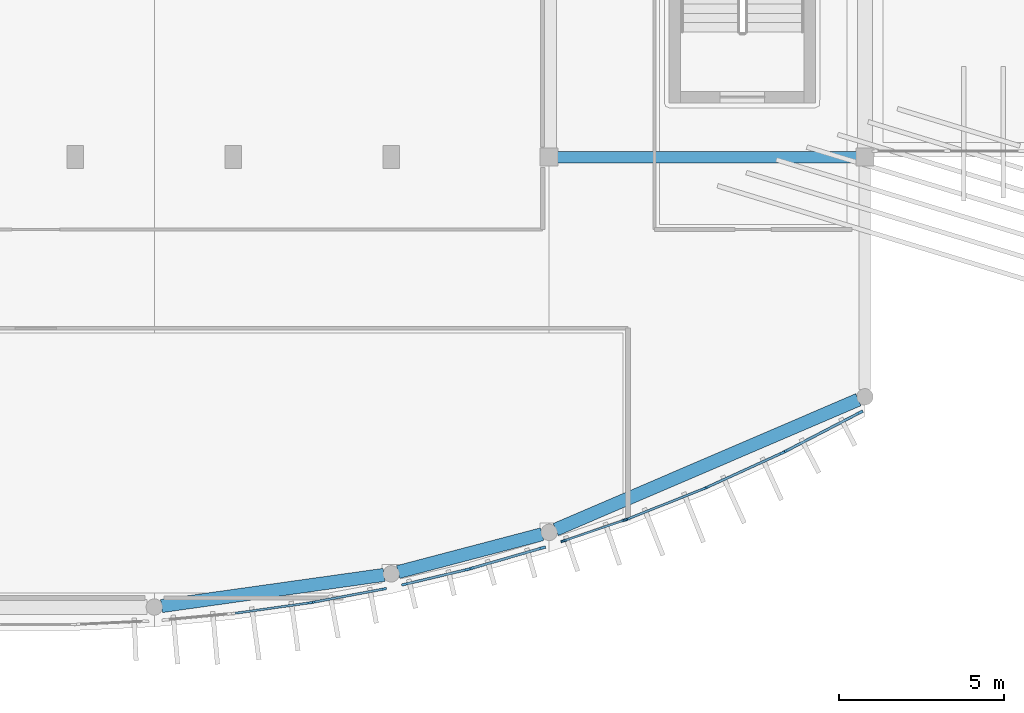
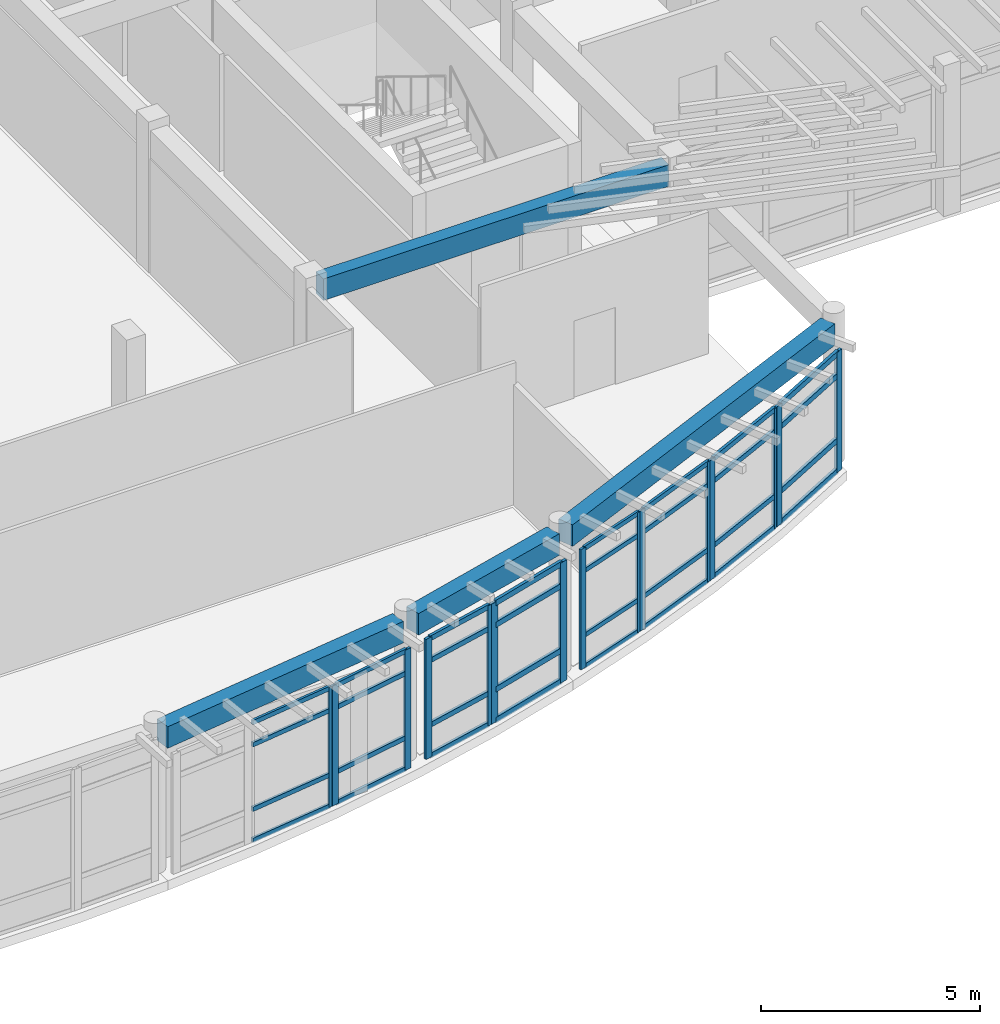
# One storey, part 12 of 60: 47 members, 4 beams, 8 elements without a shape of their own.
"""IFC4 building model written with IfcOpenShell, lengths in metres."""

from ifc_helpers import new_model, si_unit, direction, frame, origin, origin_2d, place, context, subcontext, project, spatial, rectangle, extrude, material, layer, layer_set, material_profile, profile_set, type_object, element, aggregate, save


model = new_model("IFC4")

# Units and contexts
model_context = context("Model", 3, precision=1e-05, world=origin(), true_north=direction((0.0, 1.0)))
body_context = subcontext(model_context, "Body", "Model", "MODEL_VIEW")
ifc_project = project(units=[si_unit("LENGTHUNIT", "METRE"), si_unit("AREAUNIT", "SQUARE_METRE"), si_unit("VOLUMEUNIT", "CUBIC_METRE"), si_unit("PLANEANGLEUNIT", "RADIAN"), si_unit("MASSUNIT", "GRAM", prefix="KILO")], contexts=[model_context])

# Site, building, storey
site_placement = place(None, origin())
site = spatial("IfcSite", under=ifc_project, at=site_placement, CompositionType="ELEMENT")
building_placement = place(site_placement, origin())
building = spatial("IfcBuilding", under=site, at=building_placement, Name="Brisavento Harbour Community Centre", CompositionType="ELEMENT")
storey_placement = place(building_placement, frame((0.0, 0.0, 4.5)))
storey = spatial("IfcBuildingStorey", under=building, at=storey_placement, Name="L01", CompositionType="ELEMENT", Elevation=4.5)

# Beams
ifc_material_1 = material(Name="Concrete C35/45", Category="concrete")
ifc_material_profile_1 = material_profile(ifc_material_1, rectangle(XDim=0.35009765625, YDim=0.60009765625, at=origin_2d()), Name="Concrete C35/45")
ifc_profile_set_1 = profile_set([ifc_material_profile_1], Name="Concrete C35/45")
beam_type_1 = type_object("IfcBeamType", Name="BM-RC-350x600", PredefinedType="BEAM", material=ifc_profile_set_1)
beam_1_placement = place(storey_placement, frame((41.044921875, 14.39990234375, 3.64990234375), z_axis=(1.0, 0.0, 0.0), x_axis=(0.0, 1.0, 0.0)))
element("IfcBeam", 1, at=beam_1_placement, inside=storey, type_object=beam_type_1, Name="L01 primary girder X0409", PredefinedType="BEAM", context=body_context, shape_type="SweptSolid", body=[
    extrude(rectangle(XDim=0.35009765625, YDim=0.60009765625, at=origin_2d()), origin(), (0.0, 0.0, 1.0), 9.110107421875),
])
ifc_material_profile_2 = material_profile(ifc_material_1, rectangle(XDim=0.39990234375, YDim=0.60009765625, at=origin_2d()), Name="Concrete C35/45")
ifc_profile_set_2 = profile_set([ifc_material_profile_2], Name="Concrete C35/45")
beam_type_2 = type_object("IfcBeamType", Name="BM-SPN-400x600", PredefinedType="SPANDREL", material=ifc_profile_set_2)
beam_2_placement = place(storey_placement, frame((29.017822265625, 0.75537109375, 3.64990234375), z_axis=(0.990321318847, 0.138793679386, 0.0), x_axis=(-0.138793679386, 0.990321318847, 0.0)))
element("IfcBeam", 2, at=beam_2_placement, inside=storey, type_object=beam_type_2, Name="L01 curved perimeter spandrel 0534", PredefinedType="SPANDREL", context=body_context, shape_type="SweptSolid", body=[
    extrude(rectangle(XDim=0.39990234375, YDim=0.60009765625, at=origin_2d()), origin(), (0.0, 0.0, 1.0), 6.830322265625),
])
beam_3_placement = place(storey_placement, frame((36.212890625, 1.789794921875, 3.64990234375), z_axis=(0.967167470078, 0.254139892232, 0.0), x_axis=(-0.254139892232, 0.967167470078, 0.0)))
element("IfcBeam", 3, at=beam_3_placement, inside=storey, type_object=beam_type_2, Name="L01 curved perimeter spandrel 0535", PredefinedType="SPANDREL", context=body_context, shape_type="SweptSolid", body=[
    extrude(rectangle(XDim=0.39990234375, YDim=0.60009765625, at=origin_2d()), origin(), (0.0, 0.0, 1.0), 4.522705078125),
])
beam_4_placement = place(storey_placement, frame((41.002197265625, 3.081787109375, 3.64990234375), z_axis=(0.918969522078, 0.394328565401, 0.0), x_axis=(-0.394328565401, 0.918969522078, 0.0)))
element("IfcBeam", 4, at=beam_4_placement, inside=storey, type_object=beam_type_2, Name="L01 curved perimeter spandrel 0536", PredefinedType="SPANDREL", context=body_context, shape_type="SweptSolid", body=[
    extrude(rectangle(XDim=0.39990234375, YDim=0.60009765625, at=origin_2d()), origin(), (0.0, 0.0, 1.0), 10.00634765625),
])

# Curtain wall, member
ifc_material_2 = material(Name="Marine-anodised aluminium AW-6063-T6", Category="aluminium")
ifc_layer_1 = layer(ifc_material_2, 0.179931640625, Name="Marine-anodised aluminium AW-6063-T6")
ifc_layer_set_1 = layer_set([ifc_layer_1], Name="Marine-anodised aluminium AW-6063-T6")
curtain_wall_type_1 = type_object("IfcCurtainWallType", Name="CW-SYS-05", PredefinedType="USERDEFINED", material=ifc_layer_set_1)
curtain_wall_1_placement = place(storey_placement, origin())
curtain_wall_1 = element("IfcCurtainWall", 5, at=curtain_wall_1_placement, inside=storey, type_object=curtain_wall_type_1, Name="L01 V1 unitised curtain wall 033", ObjectType="UNITISED CURTAIN WALL", PredefinedType="USERDEFINED")
ifc_material_profile_3 = material_profile(ifc_material_2, rectangle(XDim=0.06494140625, YDim=0.1650390625, at=origin_2d()), Name="Marine-anodised aluminium AW-6063-T6")
ifc_profile_set_3 = profile_set([ifc_material_profile_3], Name="Marine-anodised aluminium AW-6063-T6")
member_type_1 = type_object("IfcMemberType", Name="CWM-01", PredefinedType="MULLION", material=ifc_profile_set_3)
member_1_placement = place(storey_placement, frame((33.525146484375, 0.854248046875, 0.0), z_axis=(0.0, 0.0, 1.0), x_axis=(0.138476944024, -0.990365657711, 0.0)))
member_1 = element("IfcMember", 6, at=member_1_placement, type_object=member_type_1, Name="CW-05 mullion 1", PredefinedType="MULLION", context=body_context, shape_type="SweptSolid", body=[
    extrude(rectangle(XDim=0.06494140625, YDim=0.1650390625, at=origin_2d()), origin(), (0.0, 0.0, 1.0), 3.35009765625),
])

# Curtain wall, members
ifc_layer_2 = layer(ifc_material_2, 0.179931640625, Name="Marine-anodised aluminium AW-6063-T6")
ifc_layer_set_2 = layer_set([ifc_layer_2], Name="Marine-anodised aluminium AW-6063-T6")
curtain_wall_type_2 = type_object("IfcCurtainWallType", Name="CW-SYS-09", PredefinedType="USERDEFINED", material=ifc_layer_set_2)
curtain_wall_2_placement = place(storey_placement, origin())
curtain_wall_2 = element("IfcCurtainWall", 7, at=curtain_wall_2_placement, inside=storey, type_object=curtain_wall_type_2, Name="L01 V1 unitised curtain wall 037", ObjectType="UNITISED CURTAIN WALL", PredefinedType="USERDEFINED")
member_2_placement = place(storey_placement, frame((43.093994140625, 3.368896484375, 0.0), z_axis=(0.0, 0.0, 1.0), x_axis=(0.323178425743, -0.946338050136, 0.0)))
member_2 = element("IfcMember", 8, at=member_2_placement, type_object=member_type_1, Name="CW-09 mullion 1", PredefinedType="MULLION", context=body_context, shape_type="SweptSolid", body=[
    extrude(rectangle(XDim=0.06494140625, YDim=0.1650390625, at=origin_2d()), origin(), (0.0, 0.0, 1.0), 3.35009765625),
])
member_3_placement = place(storey_placement, frame((41.2421875, 2.736328125, 0.0), z_axis=(0.0, 0.0, 1.0), x_axis=(0.323178425743, -0.946338050136, 0.0)))
member_3 = element("IfcMember", 9, at=member_3_placement, type_object=member_type_1, Name="CW-09 mullion 2", PredefinedType="MULLION", context=body_context, shape_type="SweptSolid", body=[
    extrude(rectangle(XDim=0.06494140625, YDim=0.1650390625, at=origin_2d()), origin(), (0.0, 0.0, 1.0), 3.35009765625),
])

ifc_layer_3 = layer(ifc_material_2, 0.179931640625, Name="Marine-anodised aluminium AW-6063-T6")
ifc_layer_set_3 = layer_set([ifc_layer_3], Name="Marine-anodised aluminium AW-6063-T6")
curtain_wall_type_3 = type_object("IfcCurtainWallType", Name="CW-SYS-06", PredefinedType="USERDEFINED", material=ifc_layer_set_3)
curtain_wall_3_placement = place(storey_placement, origin())
curtain_wall_3 = element("IfcCurtainWall", 10, at=curtain_wall_3_placement, inside=storey, type_object=curtain_wall_type_3, Name="L01 V1 unitised curtain wall 034", ObjectType="UNITISED CURTAIN WALL", PredefinedType="USERDEFINED")
ifc_material_profile_4 = material_profile(ifc_material_2, rectangle(XDim=0.070068359375, YDim=0.179931640625, at=origin_2d()), Name="Marine-anodised aluminium AW-6063-T6")
ifc_profile_set_4 = profile_set([ifc_material_profile_4], Name="Marine-anodised aluminium AW-6063-T6")
member_type_2 = type_object("IfcMemberType", Name="CWM-02", PredefinedType="MULLION", material=ifc_profile_set_4)
member_4_placement = place(storey_placement, frame((35.76904296875, 1.273681640625, 0.0), z_axis=(0.0, 0.0, 1.0), x_axis=(0.184689637418, -0.982796895513, 0.0)))
member_4 = element("IfcMember", 11, at=member_4_placement, type_object=member_type_2, Name="CW-06 mullion 1", PredefinedType="MULLION", context=body_context, shape_type="SweptSolid", body=[
    extrude(rectangle(XDim=0.070068359375, YDim=0.179931640625, at=origin_2d()), origin(), (0.0, 0.0, 1.0), 3.35009765625),
])
member_5_placement = place(storey_placement, frame((33.618896484375, 0.86962890625, 0.0), z_axis=(0.0, 0.0, 1.0), x_axis=(0.184689637418, -0.982796895513, 0.0)))
member_5 = element("IfcMember", 12, at=member_5_placement, type_object=member_type_2, Name="CW-06 mullion 2", PredefinedType="MULLION", context=body_context, shape_type="SweptSolid", body=[
    extrude(rectangle(XDim=0.070068359375, YDim=0.179931640625, at=origin_2d()), origin(), (0.0, 0.0, 1.0), 3.35009765625),
])

ifc_layer_4 = layer(ifc_material_2, 0.179931640625, Name="Marine-anodised aluminium AW-6063-T6")
ifc_layer_set_4 = layer_set([ifc_layer_4], Name="Marine-anodised aluminium AW-6063-T6")
curtain_wall_type_4 = type_object("IfcCurtainWallType", Name="CW-SYS-10", PredefinedType="USERDEFINED", material=ifc_layer_set_4)
curtain_wall_4_placement = place(storey_placement, origin())
curtain_wall_4 = element("IfcCurtainWall", 13, at=curtain_wall_4_placement, inside=storey, type_object=curtain_wall_type_4, Name="L01 V1 unitised curtain wall 038", ObjectType="UNITISED CURTAIN WALL", PredefinedType="USERDEFINED")
member_6_placement = place(storey_placement, frame((45.484375, 4.31640625, 0.0), z_axis=(0.0, 0.0, 1.0), x_axis=(0.369379094613, -0.929278798027, 0.0)))
member_6 = element("IfcMember", 14, at=member_6_placement, type_object=member_type_2, Name="CW-10 mullion 1", PredefinedType="MULLION", context=body_context, shape_type="SweptSolid", body=[
    extrude(rectangle(XDim=0.070068359375, YDim=0.179931640625, at=origin_2d()), origin(), (0.0, 0.0, 1.0), 3.35009765625),
])
member_7_placement = place(storey_placement, frame((43.1826171875, 3.401611328125, 0.0), z_axis=(0.0, 0.0, 1.0), x_axis=(0.369379094613, -0.929278798027, 0.0)))
member_7 = element("IfcMember", 15, at=member_7_placement, type_object=member_type_2, Name="CW-10 mullion 2", PredefinedType="MULLION", context=body_context, shape_type="SweptSolid", body=[
    extrude(rectangle(XDim=0.070068359375, YDim=0.179931640625, at=origin_2d()), origin(), (0.0, 0.0, 1.0), 3.35009765625),
])

ifc_layer_5 = layer(ifc_material_2, 0.179931640625, Name="Marine-anodised aluminium AW-6063-T6")
ifc_layer_set_5 = layer_set([ifc_layer_5], Name="Marine-anodised aluminium AW-6063-T6")
curtain_wall_type_5 = type_object("IfcCurtainWallType", Name="CW-SYS-07", PredefinedType="USERDEFINED", material=ifc_layer_set_5)
curtain_wall_5_placement = place(storey_placement, origin())
curtain_wall_5 = element("IfcCurtainWall", 16, at=curtain_wall_5_placement, inside=storey, type_object=curtain_wall_type_5, Name="L01 V1 unitised curtain wall 035", ObjectType="UNITISED CURTAIN WALL", PredefinedType="USERDEFINED")
ifc_material_profile_5 = material_profile(ifc_material_2, rectangle(XDim=0.074951171875, YDim=0.18994140625, at=origin_2d()), Name="Marine-anodised aluminium AW-6063-T6")
ifc_profile_set_5 = profile_set([ifc_material_profile_5], Name="Marine-anodised aluminium AW-6063-T6")
member_type_3 = type_object("IfcMemberType", Name="CWM-03", PredefinedType="MULLION", material=ifc_profile_set_5)
member_8_placement = place(storey_placement, frame((38.304443359375, 1.865478515625, 0.0), z_axis=(0.0, 0.0, 1.0), x_axis=(0.230812289714, -0.972998297489, 0.0)))
member_8 = element("IfcMember", 17, at=member_8_placement, type_object=member_type_3, Name="CW-07 mullion 1", PredefinedType="MULLION", context=body_context, shape_type="SweptSolid", body=[
    extrude(rectangle(XDim=0.074951171875, YDim=0.18994140625, at=origin_2d()), origin(), (0.0, 0.0, 1.0), 3.35009765625),
])
member_9_placement = place(storey_placement, frame((36.407958984375, 1.415771484375, 0.0), z_axis=(0.0, 0.0, 1.0), x_axis=(0.230812289714, -0.972998297489, 0.0)))
member_9 = element("IfcMember", 18, at=member_9_placement, type_object=member_type_3, Name="CW-07 mullion 2", PredefinedType="MULLION", context=body_context, shape_type="SweptSolid", body=[
    extrude(rectangle(XDim=0.074951171875, YDim=0.18994140625, at=origin_2d()), origin(), (0.0, 0.0, 1.0), 3.35009765625),
])

ifc_layer_6 = layer(ifc_material_2, 0.179931640625, Name="Marine-anodised aluminium AW-6063-T6")
ifc_layer_set_6 = layer_set([ifc_layer_6], Name="Marine-anodised aluminium AW-6063-T6")
curtain_wall_type_6 = type_object("IfcCurtainWallType", Name="CW-SYS-11", PredefinedType="USERDEFINED", material=ifc_layer_set_6)
curtain_wall_6_placement = place(storey_placement, origin())
curtain_wall_6 = element("IfcCurtainWall", 19, at=curtain_wall_6_placement, inside=storey, type_object=curtain_wall_type_6, Name="L01 V1 unitised curtain wall 039", ObjectType="UNITISED CURTAIN WALL", PredefinedType="USERDEFINED")
member_10_placement = place(storey_placement, frame((47.874755859375, 5.405517578125, 0.0), z_axis=(0.0, 0.0, 1.0), x_axis=(0.415490040189, -0.909597727846, 0.0)))
member_10 = element("IfcMember", 20, at=member_10_placement, type_object=member_type_3, Name="CW-11 mullion 1", PredefinedType="MULLION", context=body_context, shape_type="SweptSolid", body=[
    extrude(rectangle(XDim=0.074951171875, YDim=0.18994140625, at=origin_2d()), origin(), (0.0, 0.0, 1.0), 3.35009765625),
])
member_11_placement = place(storey_placement, frame((45.57568359375, 4.35546875, 0.0), z_axis=(0.0, 0.0, 1.0), x_axis=(0.415490040189, -0.909597727846, 0.0)))
member_11 = element("IfcMember", 21, at=member_11_placement, type_object=member_type_3, Name="CW-11 mullion 2", PredefinedType="MULLION", context=body_context, shape_type="SweptSolid", body=[
    extrude(rectangle(XDim=0.074951171875, YDim=0.18994140625, at=origin_2d()), origin(), (0.0, 0.0, 1.0), 3.35009765625),
])

ifc_layer_7 = layer(ifc_material_2, 0.179931640625, Name="Marine-anodised aluminium AW-6063-T6")
ifc_layer_set_7 = layer_set([ifc_layer_7], Name="Marine-anodised aluminium AW-6063-T6")
curtain_wall_type_7 = type_object("IfcCurtainWallType", Name="CW-SYS-08", PredefinedType="USERDEFINED", material=ifc_layer_set_7)
curtain_wall_7_placement = place(storey_placement, origin())
curtain_wall_7 = element("IfcCurtainWall", 22, at=curtain_wall_7_placement, inside=storey, type_object=curtain_wall_type_7, Name="L01 V1 unitised curtain wall 036", ObjectType="UNITISED CURTAIN WALL", PredefinedType="USERDEFINED")
ifc_material_profile_6 = material_profile(ifc_material_2, rectangle(XDim=0.080078125, YDim=0.2099609375, at=origin_2d()), Name="Marine-anodised aluminium AW-6063-T6")
ifc_profile_set_6 = profile_set([ifc_material_profile_6], Name="Marine-anodised aluminium AW-6063-T6")
member_type_4 = type_object("IfcMemberType", Name="CWM-04", PredefinedType="MULLION", material=ifc_profile_set_6)
member_12_placement = place(storey_placement, frame((40.58837890625, 2.521484375, 0.0), z_axis=(0.0, 0.0, 1.0), x_axis=(0.277011917183, -0.960866482785, 0.0)))
member_12 = element("IfcMember", 23, at=member_12_placement, type_object=member_type_4, Name="CW-08 mullion 1", PredefinedType="MULLION", context=body_context, shape_type="SweptSolid", body=[
    extrude(rectangle(XDim=0.080078125, YDim=0.2099609375, at=origin_2d()), origin(), (0.0, 0.0, 1.0), 3.35009765625),
])
member_13_placement = place(storey_placement, frame((38.40576171875, 1.892333984375, 0.0), z_axis=(0.0, 0.0, 1.0), x_axis=(0.277011917183, -0.960866482785, 0.0)))
member_13 = element("IfcMember", 24, at=member_13_placement, type_object=member_type_4, Name="CW-08 mullion 2", PredefinedType="MULLION", context=body_context, shape_type="SweptSolid", body=[
    extrude(rectangle(XDim=0.080078125, YDim=0.2099609375, at=origin_2d()), origin(), (0.0, 0.0, 1.0), 3.35009765625),
])

ifc_layer_8 = layer(ifc_material_2, 0.179931640625, Name="Marine-anodised aluminium AW-6063-T6")
ifc_layer_set_8 = layer_set([ifc_layer_8], Name="Marine-anodised aluminium AW-6063-T6")
curtain_wall_type_8 = type_object("IfcCurtainWallType", Name="CW-SYS-12", PredefinedType="USERDEFINED", material=ifc_layer_set_8)
curtain_wall_8_placement = place(storey_placement, origin())
curtain_wall_8 = element("IfcCurtainWall", 25, at=curtain_wall_8_placement, inside=storey, type_object=curtain_wall_type_8, Name="L01 V1 unitised curtain wall 040", ObjectType="UNITISED CURTAIN WALL", PredefinedType="USERDEFINED")
member_14_placement = place(storey_placement, frame((50.2412109375, 6.634521484375, 0.0), z_axis=(0.0, 0.0, 1.0), x_axis=(0.461731608705, -0.887019684969, 0.0)))
member_14 = element("IfcMember", 26, at=member_14_placement, type_object=member_type_4, Name="CW-12 mullion 1", PredefinedType="MULLION", context=body_context, shape_type="SweptSolid", body=[
    extrude(rectangle(XDim=0.080078125, YDim=0.2099609375, at=origin_2d()), origin(), (0.0, 0.0, 1.0), 3.35009765625),
])
member_15_placement = place(storey_placement, frame((47.96826171875, 5.451416015625, 0.0), z_axis=(0.0, 0.0, 1.0), x_axis=(0.461731608705, -0.887019684969, 0.0)))
member_15 = element("IfcMember", 27, at=member_15_placement, type_object=member_type_4, Name="CW-12 mullion 2", PredefinedType="MULLION", context=body_context, shape_type="SweptSolid", body=[
    extrude(rectangle(XDim=0.080078125, YDim=0.2099609375, at=origin_2d()), origin(), (0.0, 0.0, 1.0), 3.35009765625),
])

# Member
ifc_material_profile_7 = material_profile(ifc_material_2, rectangle(XDim=0.06494140625, YDim=0.125, at=origin_2d()), Name="Marine-anodised aluminium AW-6063-T6")
ifc_profile_set_7 = profile_set([ifc_material_profile_7], Name="Marine-anodised aluminium AW-6063-T6")
member_type_5 = type_object("IfcMemberType", Name="CWT-01", PredefinedType="USERDEFINED", material=ifc_profile_set_7)
member_16_placement = place(storey_placement, frame((33.492919921875, 0.849609375, 0.032470703125), z_axis=(-0.990371128521, -0.138437812002, 0.0), x_axis=(0.138437812002, -0.990371128521, 0.0)))
member_16 = element("IfcMember", 28, at=member_16_placement, type_object=member_type_5, Name="CW-05 transom 1.1", ObjectType="TRANSOM", PredefinedType="USERDEFINED", context=body_context, shape_type="SweptSolid", body=[
    extrude(rectangle(XDim=0.06494140625, YDim=0.125, at=origin_2d()), origin(), (0.0, 0.0, 1.0), 2.25732421875),
])

member_17_placement = place(storey_placement, frame((33.492919921875, 0.849609375, 0.89990234375), z_axis=(-0.990371128521, -0.138437812002, 0.0), x_axis=(0.138437812002, -0.990371128521, 0.0)))
member_17 = element("IfcMember", 29, at=member_17_placement, type_object=member_type_5, Name="CW-05 transom 1.2", ObjectType="TRANSOM", PredefinedType="USERDEFINED", context=body_context, shape_type="SweptSolid", body=[
    extrude(rectangle(XDim=0.06494140625, YDim=0.125, at=origin_2d()), origin(), (0.0, 0.0, 1.0), 2.25732421875),
])

member_18_placement = place(storey_placement, frame((33.492919921875, 0.849609375, 2.699951171875), z_axis=(-0.990371128521, -0.138437812002, 0.0), x_axis=(0.138437812002, -0.990371128521, 0.0)))
member_18 = element("IfcMember", 30, at=member_18_placement, type_object=member_type_5, Name="CW-05 transom 1.3", ObjectType="TRANSOM", PredefinedType="USERDEFINED", context=body_context, shape_type="SweptSolid", body=[
    extrude(rectangle(XDim=0.06494140625, YDim=0.125, at=origin_2d()), origin(), (0.0, 0.0, 1.0), 2.25732421875),
])

member_19_placement = place(storey_placement, frame((33.492919921875, 0.849609375, 3.3173828125), z_axis=(-0.990371128521, -0.138437812002, 0.0), x_axis=(0.138437812002, -0.990371128521, 0.0)))
member_19 = element("IfcMember", 31, at=member_19_placement, type_object=member_type_5, Name="CW-05 transom 1.4", ObjectType="TRANSOM", PredefinedType="USERDEFINED", context=body_context, shape_type="SweptSolid", body=[
    extrude(rectangle(XDim=0.06494140625, YDim=0.125, at=origin_2d()), origin(), (0.0, 0.0, 1.0), 2.25732421875),
])

aggregate(curtain_wall_1, [member_1, member_16, member_17, member_18, member_19])

member_20_placement = place(storey_placement, frame((43.063232421875, 3.3583984375, 0.032470703125), z_axis=(-0.946308459465, -0.323265060816, 0.0), x_axis=(0.323265060816, -0.946308459465, 0.0)))
member_20 = element("IfcMember", 32, at=member_20_placement, type_object=member_type_5, Name="CW-09 transom 1.1", ObjectType="TRANSOM", PredefinedType="USERDEFINED", context=body_context, shape_type="SweptSolid", body=[
    extrude(rectangle(XDim=0.06494140625, YDim=0.125, at=origin_2d()), origin(), (0.0, 0.0, 1.0), 1.891845703125),
])

member_21_placement = place(storey_placement, frame((43.063232421875, 3.3583984375, 0.89990234375), z_axis=(-0.946308459465, -0.323265060816, 0.0), x_axis=(0.323265060816, -0.946308459465, 0.0)))
member_21 = element("IfcMember", 33, at=member_21_placement, type_object=member_type_5, Name="CW-09 transom 1.2", ObjectType="TRANSOM", PredefinedType="USERDEFINED", context=body_context, shape_type="SweptSolid", body=[
    extrude(rectangle(XDim=0.06494140625, YDim=0.125, at=origin_2d()), origin(), (0.0, 0.0, 1.0), 1.891845703125),
])

member_22_placement = place(storey_placement, frame((43.063232421875, 3.3583984375, 2.699951171875), z_axis=(-0.946308459465, -0.323265060816, 0.0), x_axis=(0.323265060816, -0.946308459465, 0.0)))
member_22 = element("IfcMember", 34, at=member_22_placement, type_object=member_type_5, Name="CW-09 transom 1.3", ObjectType="TRANSOM", PredefinedType="USERDEFINED", context=body_context, shape_type="SweptSolid", body=[
    extrude(rectangle(XDim=0.06494140625, YDim=0.125, at=origin_2d()), origin(), (0.0, 0.0, 1.0), 1.891845703125),
])

member_23_placement = place(storey_placement, frame((43.063232421875, 3.3583984375, 3.3173828125), z_axis=(-0.946308459465, -0.323265060816, 0.0), x_axis=(0.323265060816, -0.946308459465, 0.0)))
member_23 = element("IfcMember", 35, at=member_23_placement, type_object=member_type_5, Name="CW-09 transom 1.4", ObjectType="TRANSOM", PredefinedType="USERDEFINED", context=body_context, shape_type="SweptSolid", body=[
    extrude(rectangle(XDim=0.06494140625, YDim=0.125, at=origin_2d()), origin(), (0.0, 0.0, 1.0), 1.891845703125),
])

aggregate(curtain_wall_2, [member_2, member_3, member_20, member_21, member_22, member_23])

ifc_material_profile_8 = material_profile(ifc_material_2, rectangle(XDim=0.070068359375, YDim=0.132080078125, at=origin_2d()), Name="Marine-anodised aluminium AW-6063-T6")
ifc_profile_set_8 = profile_set([ifc_material_profile_8], Name="Marine-anodised aluminium AW-6063-T6")
member_type_6 = type_object("IfcMemberType", Name="CWT-02", PredefinedType="USERDEFINED", material=ifc_profile_set_8)
member_24_placement = place(storey_placement, frame((35.734619140625, 1.267333984375, 0.034912109375), z_axis=(-0.982797715927, -0.184685271662, 0.0), x_axis=(0.184685271662, -0.982797715927, 0.0)))
member_24 = element("IfcMember", 36, at=member_24_placement, type_object=member_type_6, Name="CW-06 transom 1.1", ObjectType="TRANSOM", PredefinedType="USERDEFINED", context=body_context, shape_type="SweptSolid", body=[
    extrude(rectangle(XDim=0.070068359375, YDim=0.132080078125, at=origin_2d()), origin(), (0.0, 0.0, 1.0), 2.11767578125),
])

member_25_placement = place(storey_placement, frame((35.734619140625, 1.267333984375, 0.89990234375), z_axis=(-0.982797715927, -0.184685271662, 0.0), x_axis=(0.184685271662, -0.982797715927, 0.0)))
member_25 = element("IfcMember", 37, at=member_25_placement, type_object=member_type_6, Name="CW-06 transom 1.2", ObjectType="TRANSOM", PredefinedType="USERDEFINED", context=body_context, shape_type="SweptSolid", body=[
    extrude(rectangle(XDim=0.070068359375, YDim=0.132080078125, at=origin_2d()), origin(), (0.0, 0.0, 1.0), 2.11767578125),
])

member_26_placement = place(storey_placement, frame((35.734619140625, 1.267333984375, 2.699951171875), z_axis=(-0.982797715927, -0.184685271662, 0.0), x_axis=(0.184685271662, -0.982797715927, 0.0)))
member_26 = element("IfcMember", 38, at=member_26_placement, type_object=member_type_6, Name="CW-06 transom 1.3", ObjectType="TRANSOM", PredefinedType="USERDEFINED", context=body_context, shape_type="SweptSolid", body=[
    extrude(rectangle(XDim=0.070068359375, YDim=0.132080078125, at=origin_2d()), origin(), (0.0, 0.0, 1.0), 2.11767578125),
])

member_27_placement = place(storey_placement, frame((35.734619140625, 1.267333984375, 3.31494140625), z_axis=(-0.982797715927, -0.184685271662, 0.0), x_axis=(0.184685271662, -0.982797715927, 0.0)))
member_27 = element("IfcMember", 39, at=member_27_placement, type_object=member_type_6, Name="CW-06 transom 1.4", ObjectType="TRANSOM", PredefinedType="USERDEFINED", context=body_context, shape_type="SweptSolid", body=[
    extrude(rectangle(XDim=0.070068359375, YDim=0.132080078125, at=origin_2d()), origin(), (0.0, 0.0, 1.0), 2.11767578125),
])

aggregate(curtain_wall_3, [member_4, member_5, member_24, member_25, member_26, member_27])

member_28_placement = place(storey_placement, frame((45.45166015625, 4.303466796875, 0.034912109375), z_axis=(-0.929279112917, -0.369378302416, 0.0), x_axis=(0.369378302416, -0.929279112917, 0.0)))
member_28 = element("IfcMember", 40, at=member_28_placement, type_object=member_type_6, Name="CW-10 transom 1.1", ObjectType="TRANSOM", PredefinedType="USERDEFINED", context=body_context, shape_type="SweptSolid", body=[
    extrude(rectangle(XDim=0.070068359375, YDim=0.132080078125, at=origin_2d()), origin(), (0.0, 0.0, 1.0), 2.406494140625),
])

member_29_placement = place(storey_placement, frame((45.45166015625, 4.303466796875, 0.89990234375), z_axis=(-0.929279112917, -0.369378302416, 0.0), x_axis=(0.369378302416, -0.929279112917, 0.0)))
member_29 = element("IfcMember", 41, at=member_29_placement, type_object=member_type_6, Name="CW-10 transom 1.2", ObjectType="TRANSOM", PredefinedType="USERDEFINED", context=body_context, shape_type="SweptSolid", body=[
    extrude(rectangle(XDim=0.070068359375, YDim=0.132080078125, at=origin_2d()), origin(), (0.0, 0.0, 1.0), 2.406494140625),
])

member_30_placement = place(storey_placement, frame((45.45166015625, 4.303466796875, 2.699951171875), z_axis=(-0.929279112917, -0.369378302416, 0.0), x_axis=(0.369378302416, -0.929279112917, 0.0)))
member_30 = element("IfcMember", 42, at=member_30_placement, type_object=member_type_6, Name="CW-10 transom 1.3", ObjectType="TRANSOM", PredefinedType="USERDEFINED", context=body_context, shape_type="SweptSolid", body=[
    extrude(rectangle(XDim=0.070068359375, YDim=0.132080078125, at=origin_2d()), origin(), (0.0, 0.0, 1.0), 2.406494140625),
])

member_31_placement = place(storey_placement, frame((45.45166015625, 4.303466796875, 3.31494140625), z_axis=(-0.929279112917, -0.369378302416, 0.0), x_axis=(0.369378302416, -0.929279112917, 0.0)))
member_31 = element("IfcMember", 43, at=member_31_placement, type_object=member_type_6, Name="CW-10 transom 1.4", ObjectType="TRANSOM", PredefinedType="USERDEFINED", context=body_context, shape_type="SweptSolid", body=[
    extrude(rectangle(XDim=0.070068359375, YDim=0.132080078125, at=origin_2d()), origin(), (0.0, 0.0, 1.0), 2.406494140625),
])

aggregate(curtain_wall_4, [member_6, member_7, member_28, member_29, member_30, member_31])

ifc_material_profile_9 = material_profile(ifc_material_2, rectangle(XDim=0.074951171875, YDim=0.139892578125, at=origin_2d()), Name="Marine-anodised aluminium AW-6063-T6")
ifc_profile_set_9 = profile_set([ifc_material_profile_9], Name="Marine-anodised aluminium AW-6063-T6")
member_type_7 = type_object("IfcMemberType", Name="CWT-03", PredefinedType="USERDEFINED", material=ifc_profile_set_9)
member_32_placement = place(storey_placement, frame((38.267822265625, 1.85693359375, 0.03759765625), z_axis=(-0.972991802662, -0.2308396672, 0.0), x_axis=(0.2308396672, -0.972991802662, 0.0)))
member_32 = element("IfcMember", 44, at=member_32_placement, type_object=member_type_7, Name="CW-07 transom 1.1", ObjectType="TRANSOM", PredefinedType="USERDEFINED", context=body_context, shape_type="SweptSolid", body=[
    extrude(rectangle(XDim=0.074951171875, YDim=0.139892578125, at=origin_2d()), origin(), (0.0, 0.0, 1.0), 1.8740234375),
])

member_33_placement = place(storey_placement, frame((38.267822265625, 1.85693359375, 0.89990234375), z_axis=(-0.972991802662, -0.2308396672, 0.0), x_axis=(0.2308396672, -0.972991802662, 0.0)))
member_33 = element("IfcMember", 45, at=member_33_placement, type_object=member_type_7, Name="CW-07 transom 1.2", ObjectType="TRANSOM", PredefinedType="USERDEFINED", context=body_context, shape_type="SweptSolid", body=[
    extrude(rectangle(XDim=0.074951171875, YDim=0.139892578125, at=origin_2d()), origin(), (0.0, 0.0, 1.0), 1.8740234375),
])

member_34_placement = place(storey_placement, frame((38.267822265625, 1.85693359375, 2.699951171875), z_axis=(-0.972991802662, -0.2308396672, 0.0), x_axis=(0.2308396672, -0.972991802662, 0.0)))
member_34 = element("IfcMember", 46, at=member_34_placement, type_object=member_type_7, Name="CW-07 transom 1.3", ObjectType="TRANSOM", PredefinedType="USERDEFINED", context=body_context, shape_type="SweptSolid", body=[
    extrude(rectangle(XDim=0.074951171875, YDim=0.139892578125, at=origin_2d()), origin(), (0.0, 0.0, 1.0), 1.8740234375),
])

member_35_placement = place(storey_placement, frame((38.267822265625, 1.85693359375, 3.3125), z_axis=(-0.972991802662, -0.2308396672, 0.0), x_axis=(0.2308396672, -0.972991802662, 0.0)))
member_35 = element("IfcMember", 47, at=member_35_placement, type_object=member_type_7, Name="CW-07 transom 1.4", ObjectType="TRANSOM", PredefinedType="USERDEFINED", context=body_context, shape_type="SweptSolid", body=[
    extrude(rectangle(XDim=0.074951171875, YDim=0.139892578125, at=origin_2d()), origin(), (0.0, 0.0, 1.0), 1.8740234375),
])

aggregate(curtain_wall_5, [member_8, member_9, member_32, member_33, member_34, member_35])

member_36_placement = place(storey_placement, frame((47.840576171875, 5.39013671875, 0.03759765625), z_axis=(-0.909584143353, -0.415519778303, 0.0), x_axis=(0.415519778303, -0.909584143353, 0.0)))
member_36 = element("IfcMember", 48, at=member_36_placement, type_object=member_type_7, Name="CW-11 transom 1.1", ObjectType="TRANSOM", PredefinedType="USERDEFINED", context=body_context, shape_type="SweptSolid", body=[
    extrude(rectangle(XDim=0.074951171875, YDim=0.139892578125, at=origin_2d()), origin(), (0.0, 0.0, 1.0), 2.452392578125),
])

member_37_placement = place(storey_placement, frame((47.840576171875, 5.39013671875, 0.89990234375), z_axis=(-0.909584143353, -0.415519778303, 0.0), x_axis=(0.415519778303, -0.909584143353, 0.0)))
member_37 = element("IfcMember", 49, at=member_37_placement, type_object=member_type_7, Name="CW-11 transom 1.2", ObjectType="TRANSOM", PredefinedType="USERDEFINED", context=body_context, shape_type="SweptSolid", body=[
    extrude(rectangle(XDim=0.074951171875, YDim=0.139892578125, at=origin_2d()), origin(), (0.0, 0.0, 1.0), 2.452392578125),
])

member_38_placement = place(storey_placement, frame((47.840576171875, 5.39013671875, 2.699951171875), z_axis=(-0.909584143353, -0.415519778303, 0.0), x_axis=(0.415519778303, -0.909584143353, 0.0)))
member_38 = element("IfcMember", 50, at=member_38_placement, type_object=member_type_7, Name="CW-11 transom 1.3", ObjectType="TRANSOM", PredefinedType="USERDEFINED", context=body_context, shape_type="SweptSolid", body=[
    extrude(rectangle(XDim=0.074951171875, YDim=0.139892578125, at=origin_2d()), origin(), (0.0, 0.0, 1.0), 2.452392578125),
])

member_39_placement = place(storey_placement, frame((47.840576171875, 5.39013671875, 3.3125), z_axis=(-0.909584143353, -0.415519778303, 0.0), x_axis=(0.415519778303, -0.909584143353, 0.0)))
member_39 = element("IfcMember", 51, at=member_39_placement, type_object=member_type_7, Name="CW-11 transom 1.4", ObjectType="TRANSOM", PredefinedType="USERDEFINED", context=body_context, shape_type="SweptSolid", body=[
    extrude(rectangle(XDim=0.074951171875, YDim=0.139892578125, at=origin_2d()), origin(), (0.0, 0.0, 1.0), 2.452392578125),
])

aggregate(curtain_wall_6, [member_10, member_11, member_36, member_37, member_38, member_39])

ifc_material_profile_10 = material_profile(ifc_material_2, rectangle(XDim=0.080078125, YDim=0.155029296875, at=origin_2d()), Name="Marine-anodised aluminium AW-6063-T6")
ifc_profile_set_10 = profile_set([ifc_material_profile_10], Name="Marine-anodised aluminium AW-6063-T6")
member_type_8 = type_object("IfcMemberType", Name="CWT-04", PredefinedType="USERDEFINED", material=ifc_profile_set_10)
member_40_placement = place(storey_placement, frame((40.550048828125, 2.510498046875, 0.0400390625), z_axis=(-0.96085268232, -0.277059782137, 0.0), x_axis=(0.277059782137, -0.96085268232, 0.0)))
member_40 = element("IfcMember", 52, at=member_40_placement, type_object=member_type_8, Name="CW-08 transom 1.1", ObjectType="TRANSOM", PredefinedType="USERDEFINED", context=body_context, shape_type="SweptSolid", body=[
    extrude(rectangle(XDim=0.080078125, YDim=0.155029296875, at=origin_2d()), origin(), (0.0, 0.0, 1.0), 2.19140625),
])

member_41_placement = place(storey_placement, frame((40.550048828125, 2.510498046875, 0.89990234375), z_axis=(-0.96085268232, -0.277059782137, 0.0), x_axis=(0.277059782137, -0.96085268232, 0.0)))
member_41 = element("IfcMember", 53, at=member_41_placement, type_object=member_type_8, Name="CW-08 transom 1.2", ObjectType="TRANSOM", PredefinedType="USERDEFINED", context=body_context, shape_type="SweptSolid", body=[
    extrude(rectangle(XDim=0.080078125, YDim=0.155029296875, at=origin_2d()), origin(), (0.0, 0.0, 1.0), 2.19140625),
])

member_42_placement = place(storey_placement, frame((40.550048828125, 2.510498046875, 2.699951171875), z_axis=(-0.96085268232, -0.277059782137, 0.0), x_axis=(0.277059782137, -0.96085268232, 0.0)))
member_42 = element("IfcMember", 54, at=member_42_placement, type_object=member_type_8, Name="CW-08 transom 1.3", ObjectType="TRANSOM", PredefinedType="USERDEFINED", context=body_context, shape_type="SweptSolid", body=[
    extrude(rectangle(XDim=0.080078125, YDim=0.155029296875, at=origin_2d()), origin(), (0.0, 0.0, 1.0), 2.19140625),
])

member_43_placement = place(storey_placement, frame((40.550048828125, 2.510498046875, 3.31005859375), z_axis=(-0.96085268232, -0.277059782137, 0.0), x_axis=(0.277059782137, -0.96085268232, 0.0)))
member_43 = element("IfcMember", 55, at=member_43_placement, type_object=member_type_8, Name="CW-08 transom 1.4", ObjectType="TRANSOM", PredefinedType="USERDEFINED", context=body_context, shape_type="SweptSolid", body=[
    extrude(rectangle(XDim=0.080078125, YDim=0.155029296875, at=origin_2d()), origin(), (0.0, 0.0, 1.0), 2.19140625),
])

aggregate(curtain_wall_7, [member_12, member_13, member_40, member_41, member_42, member_43])

member_44_placement = place(storey_placement, frame((50.205810546875, 6.6162109375, 0.0400390625), z_axis=(-0.887010600711, -0.4617490598, 0.0), x_axis=(0.4617490598, -0.887010600711, 0.0)))
member_44 = element("IfcMember", 56, at=member_44_placement, type_object=member_type_8, Name="CW-12 transom 1.1", ObjectType="TRANSOM", PredefinedType="USERDEFINED", context=body_context, shape_type="SweptSolid", body=[
    extrude(rectangle(XDim=0.080078125, YDim=0.155029296875, at=origin_2d()), origin(), (0.0, 0.0, 1.0), 2.482421875),
])

member_45_placement = place(storey_placement, frame((50.205810546875, 6.6162109375, 0.89990234375), z_axis=(-0.887010600711, -0.4617490598, 0.0), x_axis=(0.4617490598, -0.887010600711, 0.0)))
member_45 = element("IfcMember", 57, at=member_45_placement, type_object=member_type_8, Name="CW-12 transom 1.2", ObjectType="TRANSOM", PredefinedType="USERDEFINED", context=body_context, shape_type="SweptSolid", body=[
    extrude(rectangle(XDim=0.080078125, YDim=0.155029296875, at=origin_2d()), origin(), (0.0, 0.0, 1.0), 2.482421875),
])

member_46_placement = place(storey_placement, frame((50.205810546875, 6.6162109375, 2.699951171875), z_axis=(-0.887010600711, -0.4617490598, 0.0), x_axis=(0.4617490598, -0.887010600711, 0.0)))
member_46 = element("IfcMember", 58, at=member_46_placement, type_object=member_type_8, Name="CW-12 transom 1.3", ObjectType="TRANSOM", PredefinedType="USERDEFINED", context=body_context, shape_type="SweptSolid", body=[
    extrude(rectangle(XDim=0.080078125, YDim=0.155029296875, at=origin_2d()), origin(), (0.0, 0.0, 1.0), 2.482421875),
])

member_47_placement = place(storey_placement, frame((50.205810546875, 6.6162109375, 3.31005859375), z_axis=(-0.887010600711, -0.4617490598, 0.0), x_axis=(0.4617490598, -0.887010600711, 0.0)))
member_47 = element("IfcMember", 59, at=member_47_placement, type_object=member_type_8, Name="CW-12 transom 1.4", ObjectType="TRANSOM", PredefinedType="USERDEFINED", context=body_context, shape_type="SweptSolid", body=[
    extrude(rectangle(XDim=0.080078125, YDim=0.155029296875, at=origin_2d()), origin(), (0.0, 0.0, 1.0), 2.482421875),
])

aggregate(curtain_wall_8, [member_14, member_15, member_44, member_45, member_46, member_47])

save(model, "model.ifc")
